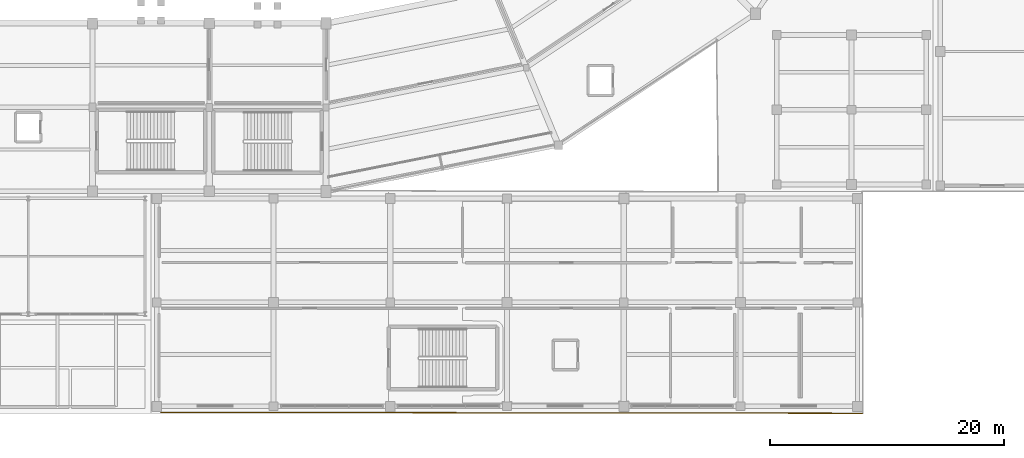
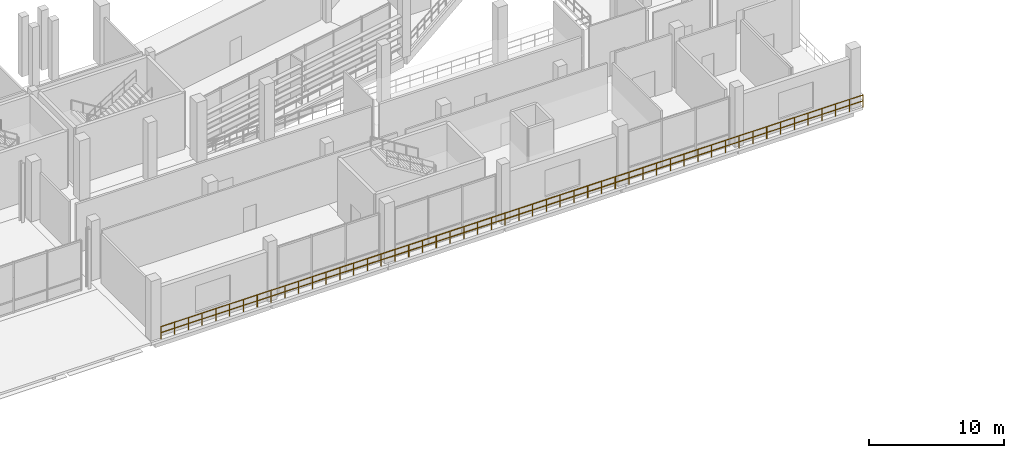
# One storey, part 102 of 114: 1 railing.
"""IFC4 building model written with IfcOpenShell, lengths in metres."""

import ifcopenshell
import ifcopenshell.guid

model = None  # the IFC model being written
_history = None  # IfcOwnerHistory: only IFC2X3 demands one
_inside = {}  # id of a spatial element -> (the spatial element, [elements in it])
_under = {}  # id of a project, library or spatial element -> (it, [spatial elements below it])
_declared = {}  # id of a project -> (the project, [libraries it declares])
_typed = {}  # id of a type object -> (the type object, [elements of that type])
_made_of = {}  # id of a material, layer set ... -> (it, [elements and type objects made of it])


def new_model(schema):
    """Start an empty IFC model of exactly this schema.

    Asked for "IFC4X3", IfcOpenShell would pick the latest addendum, in which some entities
    have other attributes; the version numbers below select the first issue.
    IFC2X3 requires an IfcOwnerHistory on every rooted entity: one is made here for all.
    """
    global model, _history
    if schema == "IFC4X3":
        model = ifcopenshell.file(schema_version=(4, 3, 0, 0))
    else:
        model = ifcopenshell.file(schema=schema)
    _inside.clear()
    _under.clear()
    _declared.clear()
    _typed.clear()
    _made_of.clear()
    _history = None
    if model.schema == "IFC2X3":
        org = make("IfcOrganization", Name="unknown")
        user = make(
            "IfcPersonAndOrganization",
            ThePerson=make("IfcPerson", FamilyName="unknown"),
            TheOrganization=org,
        )
        app = make(
            "IfcApplication",
            ApplicationDeveloper=org,
            Version="unknown",
            ApplicationFullName="unknown",
            ApplicationIdentifier="unknown",
        )
        _history = make(
            "IfcOwnerHistory",
            OwningUser=user,
            OwningApplication=app,
            ChangeAction="ADDED",
            CreationDate=0,
        )
    return model


def make(cls, **values):
    """One entity of the class cls with the attributes given. An attribute that is None is left unset."""
    return model.create_entity(
        cls, **{name: value for name, value in values.items() if value is not None}
    )


def rooted(cls, **values):
    """An entity with a GlobalId (a new one), such as an element, a storey or a relation."""
    return make(cls, GlobalId=ifcopenshell.guid.new(), OwnerHistory=_history, **values)


def si_unit(unit_type, name, prefix=None):
    """IfcSIUnit, for example si_unit("LENGTHUNIT", "METRE", prefix="MILLI")."""
    return make("IfcSIUnit", UnitType=unit_type, Prefix=prefix, Name=name)


def assignment(units):
    """IfcUnitAssignment: the units of a project."""
    return None if units is None else make("IfcUnitAssignment", Units=units)


def point(xyz):
    """IfcCartesianPoint."""
    return None if xyz is None else make("IfcCartesianPoint", Coordinates=xyz)


def direction(xyz):
    """IfcDirection."""
    return None if xyz is None else make("IfcDirection", DirectionRatios=xyz)


def frame(location, z_axis=None, x_axis=None):
    """IfcAxis2Placement3D, a coordinate frame: its origin and axes. An axis left out is left unset."""
    return make(
        "IfcAxis2Placement3D",
        Location=point(location),
        Axis=direction(z_axis),
        RefDirection=direction(x_axis),
    )


def frame_2d(location, x_axis=None):
    """IfcAxis2Placement2D, a coordinate frame in the plane: its origin and x axis."""
    return make(
        "IfcAxis2Placement2D", Location=point(location), RefDirection=direction(x_axis)
    )


def origin():
    """The frame at (0, 0, 0) with its axes left unset."""
    return frame((0.0, 0.0, 0.0))


def origin_2d():
    """The frame at (0, 0) in the plane with its x axis left unset."""
    return frame_2d((0.0, 0.0))


def place(relative_to, where):
    """IfcLocalPlacement: puts the frame where relative to a parent placement (None: the world)."""
    return make(
        "IfcLocalPlacement", PlacementRelTo=relative_to, RelativePlacement=where
    )


def context(
    kind, dimensions, precision=None, world=None, true_north=None, identifier=None
):
    """IfcGeometricRepresentationContext, for example the 3D "Model" context."""
    return make(
        "IfcGeometricRepresentationContext",
        ContextIdentifier=identifier,
        ContextType=kind,
        CoordinateSpaceDimension=dimensions,
        Precision=precision,
        WorldCoordinateSystem=world,
        TrueNorth=true_north,
    )


def subcontext(parent, identifier, kind, view, scale=None):
    """IfcGeometricRepresentationSubContext, for example "Body" below "Model"."""
    return make(
        "IfcGeometricRepresentationSubContext",
        ContextIdentifier=identifier,
        ContextType=kind,
        ParentContext=parent,
        TargetScale=scale,
        TargetView=view,
    )


def project(units=None, contexts=None):
    """IfcProject with its units and contexts."""
    return rooted(
        "IfcProject",
        Name="project",
        RepresentationContexts=contexts,
        UnitsInContext=assignment(units),
    )


def spatial(cls, under=None, at=None, **own):
    """A site, building, storey or space (cls), placed at a placement, below another one or the project."""
    s = rooted(cls, ObjectPlacement=at, **own)
    if under is not None:
        _under.setdefault(under.id(), (under, []))[1].append(s)
    return s


def profile(cls, at=None, kind="AREA", **sizes):
    """A parametric profile (cls). Its sizes go by their IFC names, for example OverallWidth=200.0."""
    return make(cls, ProfileType=kind, Position=at, **sizes)


def circle(**sizes):
    """IfcCircleProfileDef."""
    return profile("IfcCircleProfileDef", **sizes)


def extrude(swept, where, along, depth):
    """IfcExtrudedAreaSolid: the profile swept, set in the frame where, extruded along a direction by depth."""
    return make(
        "IfcExtrudedAreaSolid",
        SweptArea=swept,
        Position=where,
        ExtrudedDirection=direction(along),
        Depth=depth,
    )


def shape(context_of_items, identifier, shape_type, items):
    """IfcShapeRepresentation: the items that make up one representation, for example the "Body"."""
    return make(
        "IfcShapeRepresentation",
        ContextOfItems=context_of_items,
        RepresentationIdentifier=identifier,
        RepresentationType=shape_type,
        Items=items,
    )


def material(Name=None, Category=None):
    """IfcMaterial."""
    return make("IfcMaterial", Name=Name, Category=Category)


def layer(
    of_material, thickness, ventilated=None, Name=None, Category=None, Priority=None
):
    """IfcMaterialLayer: one layer of a wall or slab, of a material (None: an air gap)."""
    return make(
        "IfcMaterialLayer",
        Material=of_material,
        LayerThickness=thickness,
        IsVentilated=ventilated,
        Name=Name,
        Category=Category,
        Priority=Priority,
    )


def layer_set(layers, Name=None):
    """IfcMaterialLayerSet."""
    return make("IfcMaterialLayerSet", MaterialLayers=layers, LayerSetName=Name)


def made_of(thing, what):
    """Note that an element or type object is made of a material, layer set ...; save() writes the relation."""
    if what is not None:
        _made_of.setdefault(what.id(), (what, []))[1].append(thing)
    return thing


def type_object(cls, material=None, **own):
    """A type object (cls), such as IfcWallType, which elements share."""
    return made_of(rooted(cls, **own), material)


def element(
    cls,
    number,
    at=None,
    inside=None,
    cuts=None,
    type_object=None,
    material=None,
    context=None,
    identifier="Body",
    shape_type=None,
    held_by="IfcProductDefinitionShape",
    body=None,
    shapes=None,
    **own,
):
    """One element of the class cls, such as IfcWall. Its Tag is "e" and its number.

    at: its placement. inside: the storey or other place that contains it. cuts: it is an
    opening in that element (IfcRelVoidsElement). A single representation is given by context,
    identifier, shape_type and body (its items); several are given by shapes. held_by: the class
    of the entity that holds the representations. save() writes the other relations.
    """
    e = rooted(cls, Tag="e%d" % number, ObjectPlacement=at, **own)
    if body is not None:
        shapes = [shape(context, identifier, shape_type, body)]
    if shapes is not None:
        e.Representation = make(held_by, Representations=shapes)
    if inside is not None:
        _inside.setdefault(inside.id(), (inside, []))[1].append(e)
    if cuts is not None:
        rooted(
            "IfcRelVoidsElement", RelatingBuildingElement=cuts, RelatedOpeningElement=e
        )
    if type_object is not None:
        _typed.setdefault(type_object.id(), (type_object, []))[1].append(e)
    return made_of(e, material)


def aggregate(whole, parts):
    """IfcRelAggregates: a whole, such as a stair, and the parts it consists of."""
    return rooted("IfcRelAggregates", RelatingObject=whole, RelatedObjects=parts)


def save(model, path):
    """Write the relations noted so far, then the file.

    IfcRelAggregates (storeys below a building ...), IfcRelContainedInSpatialStructure (elements
    in a storey), IfcRelDefinesByType, IfcRelAssociatesMaterial and IfcRelDeclares: one each for
    every whole, place, type object, material and project.
    """
    for whole, parts in _under.values():
        aggregate(whole, parts)
    for where, things in _inside.values():
        rooted(
            "IfcRelContainedInSpatialStructure",
            RelatedElements=things,
            RelatingStructure=where,
        )
    for kind, things in _typed.values():
        rooted("IfcRelDefinesByType", RelatedObjects=things, RelatingType=kind)
    for what, things in _made_of.values():
        rooted("IfcRelAssociatesMaterial", RelatedObjects=things, RelatingMaterial=what)
    for by, libraries in _declared.values():
        rooted("IfcRelDeclares", RelatingContext=by, RelatedDefinitions=libraries)
    model.write(path)


model = new_model("IFC4")

# Units and contexts
model_context = context("Model", 3, precision=1e-05, world=origin(), true_north=direction((0.0, 1.0)))
body_context = subcontext(model_context, "Body", "Model", "MODEL_VIEW")
ifc_project = project(units=[si_unit("LENGTHUNIT", "METRE"), si_unit("AREAUNIT", "SQUARE_METRE"), si_unit("VOLUMEUNIT", "CUBIC_METRE"), si_unit("PLANEANGLEUNIT", "RADIAN"), si_unit("MASSUNIT", "GRAM", prefix="KILO")], contexts=[model_context])

# Site, building, storey
site_placement = place(None, origin())
site = spatial("IfcSite", under=ifc_project, at=site_placement, CompositionType="ELEMENT")
building_placement = place(site_placement, origin())
building = spatial("IfcBuilding", under=site, at=building_placement, Name="Candeia Ridge Stadium", CompositionType="ELEMENT")
storey_placement = place(building_placement, frame((0.0, 0.0, 5.39990234375)))
storey = spatial("IfcBuildingStorey", under=building, at=storey_placement, Name="L01", CompositionType="ELEMENT", Elevation=5.39990234375)

# Railing
ifc_material = material(Name="Galvanized Powder-Coated Steel", Category="steel")
ifc_layer = layer(ifc_material, 0.074951171875, Name="Galvanized Powder-Coated Steel", Category="steel")
ifc_layer_set = layer_set([ifc_layer], Name="Galvanized Powder-Coated Steel")
railing_type = type_object("IfcRailingType", Name="Spectator Bowl Front Guardrail 1120", PredefinedType="GUARDRAIL", material=ifc_layer_set)
railing_placement = place(storey_placement, frame((187.0, 0.0, 0.0)))
element("IfcRailing", 1, at=railing_placement, inside=storey, type_object=railing_type, Name="Deck edge safety guardrail GR-DE-L01-0014", PredefinedType="GUARDRAIL", context=body_context, shape_type="SweptSolid", body=[
    extrude(circle(Radius=0.02392578125, at=origin_2d()), frame((0.0, 0.0, 1.09619140625), z_axis=(-0.999999113809, 0.00133130813, 0.0), x_axis=(-0.00133130813, -0.999999113809, 0.0)), (0.0, 0.0, 1.0), 60.14990234375),
    extrude(circle(Radius=0.02392578125, at=origin_2d()), frame((0.0, 0.0, 0.56005859375), z_axis=(-0.999999113809, 0.00133130813, 0.0), x_axis=(-0.00133130813, -0.999999113809, 0.0)), (0.0, 0.0, 1.0), 60.14990234375),
    extrude(circle(Radius=0.02099609375, at=origin_2d()), origin(), (0.0, 0.0, 1.0), 1.072021484375),
    extrude(circle(Radius=0.02099609375, at=origin_2d()), frame((-1.179443359375, 0.00146484375, 0.0)), (0.0, 0.0, 1.0), 1.072021484375),
    extrude(circle(Radius=0.02099609375, at=origin_2d()), frame((-2.35888671875, 0.003173828125, 0.0)), (0.0, 0.0, 1.0), 1.072021484375),
    extrude(circle(Radius=0.02099609375, at=origin_2d()), frame((-3.538330078125, 0.004638671875, 0.0)), (0.0, 0.0, 1.0), 1.072021484375),
    extrude(circle(Radius=0.02099609375, at=origin_2d()), frame((-4.717529296875, 0.00634765625, 0.0)), (0.0, 0.0, 1.0), 1.072021484375),
    extrude(circle(Radius=0.02099609375, at=origin_2d()), frame((-5.89697265625, 0.0078125, 0.0)), (0.0, 0.0, 1.0), 1.072021484375),
    extrude(circle(Radius=0.02099609375, at=origin_2d()), frame((-7.076416015625, 0.009521484375, 0.0)), (0.0, 0.0, 1.0), 1.072021484375),
    extrude(circle(Radius=0.02099609375, at=origin_2d()), frame((-8.255859375, 0.010986328125, 0.0)), (0.0, 0.0, 1.0), 1.072021484375),
    extrude(circle(Radius=0.02099609375, at=origin_2d()), frame((-9.435302734375, 0.012451171875, 0.0)), (0.0, 0.0, 1.0), 1.072021484375),
    extrude(circle(Radius=0.02099609375, at=origin_2d()), frame((-10.61474609375, 0.01416015625, 0.0)), (0.0, 0.0, 1.0), 1.072021484375),
    extrude(circle(Radius=0.02099609375, at=origin_2d()), frame((-11.794189453125, 0.015625, 0.0)), (0.0, 0.0, 1.0), 1.072021484375),
    extrude(circle(Radius=0.02099609375, at=origin_2d()), frame((-12.973388671875, 0.017333984375, 0.0)), (0.0, 0.0, 1.0), 1.072021484375),
    extrude(circle(Radius=0.02099609375, at=origin_2d()), frame((-14.15283203125, 0.018798828125, 0.0)), (0.0, 0.0, 1.0), 1.072021484375),
    extrude(circle(Radius=0.02099609375, at=origin_2d()), frame((-15.332275390625, 0.0205078125, 0.0)), (0.0, 0.0, 1.0), 1.072021484375),
    extrude(circle(Radius=0.02099609375, at=origin_2d()), frame((-16.51171875, 0.02197265625, 0.0)), (0.0, 0.0, 1.0), 1.072021484375),
    extrude(circle(Radius=0.02099609375, at=origin_2d()), frame((-17.691162109375, 0.0234375, 0.0)), (0.0, 0.0, 1.0), 1.072021484375),
    extrude(circle(Radius=0.02099609375, at=origin_2d()), frame((-18.87060546875, 0.025146484375, 0.0)), (0.0, 0.0, 1.0), 1.072021484375),
    extrude(circle(Radius=0.02099609375, at=origin_2d()), frame((-20.050048828125, 0.026611328125, 0.0)), (0.0, 0.0, 1.0), 1.072021484375),
    extrude(circle(Radius=0.02099609375, at=origin_2d()), frame((-21.2294921875, 0.0283203125, 0.0)), (0.0, 0.0, 1.0), 1.072021484375),
    extrude(circle(Radius=0.02099609375, at=origin_2d()), frame((-22.40869140625, 0.02978515625, 0.0)), (0.0, 0.0, 1.0), 1.072021484375),
    extrude(circle(Radius=0.02099609375, at=origin_2d()), frame((-23.588134765625, 0.031494140625, 0.0)), (0.0, 0.0, 1.0), 1.072021484375),
    extrude(circle(Radius=0.02099609375, at=origin_2d()), frame((-24.767578125, 0.032958984375, 0.0)), (0.0, 0.0, 1.0), 1.072021484375),
    extrude(circle(Radius=0.02099609375, at=origin_2d()), frame((-25.947021484375, 0.034423828125, 0.0)), (0.0, 0.0, 1.0), 1.072021484375),
    extrude(circle(Radius=0.02099609375, at=origin_2d()), frame((-27.12646484375, 0.0361328125, 0.0)), (0.0, 0.0, 1.0), 1.072021484375),
    extrude(circle(Radius=0.02099609375, at=origin_2d()), frame((-28.305908203125, 0.03759765625, 0.0)), (0.0, 0.0, 1.0), 1.072021484375),
    extrude(circle(Radius=0.02099609375, at=origin_2d()), frame((-29.4853515625, 0.039306640625, 0.0)), (0.0, 0.0, 1.0), 1.072021484375),
    extrude(circle(Radius=0.02099609375, at=origin_2d()), frame((-30.66455078125, 0.040771484375, 0.0)), (0.0, 0.0, 1.0), 1.072021484375),
    extrude(circle(Radius=0.02099609375, at=origin_2d()), frame((-31.843994140625, 0.04248046875, 0.0)), (0.0, 0.0, 1.0), 1.072021484375),
    extrude(circle(Radius=0.02099609375, at=origin_2d()), frame((-33.0234375, 0.0439453125, 0.0)), (0.0, 0.0, 1.0), 1.072021484375),
    extrude(circle(Radius=0.02099609375, at=origin_2d()), frame((-34.202880859375, 0.045654296875, 0.0)), (0.0, 0.0, 1.0), 1.072021484375),
    extrude(circle(Radius=0.02099609375, at=origin_2d()), frame((-35.38232421875, 0.047119140625, 0.0)), (0.0, 0.0, 1.0), 1.072021484375),
    extrude(circle(Radius=0.02099609375, at=origin_2d()), frame((-36.561767578125, 0.048583984375, 0.0)), (0.0, 0.0, 1.0), 1.072021484375),
    extrude(circle(Radius=0.02099609375, at=origin_2d()), frame((-37.7412109375, 0.05029296875, 0.0)), (0.0, 0.0, 1.0), 1.072021484375),
    extrude(circle(Radius=0.02099609375, at=origin_2d()), frame((-38.92041015625, 0.0517578125, 0.0)), (0.0, 0.0, 1.0), 1.072021484375),
    extrude(circle(Radius=0.02099609375, at=origin_2d()), frame((-40.099853515625, 0.053466796875, 0.0)), (0.0, 0.0, 1.0), 1.072021484375),
    extrude(circle(Radius=0.02099609375, at=origin_2d()), frame((-41.279296875, 0.054931640625, 0.0)), (0.0, 0.0, 1.0), 1.072021484375),
    extrude(circle(Radius=0.02099609375, at=origin_2d()), frame((-42.458740234375, 0.056640625, 0.0)), (0.0, 0.0, 1.0), 1.072021484375),
    extrude(circle(Radius=0.02099609375, at=origin_2d()), frame((-43.63818359375, 0.05810546875, 0.0)), (0.0, 0.0, 1.0), 1.072021484375),
    extrude(circle(Radius=0.02099609375, at=origin_2d()), frame((-44.817626953125, 0.0595703125, 0.0)), (0.0, 0.0, 1.0), 1.072021484375),
    extrude(circle(Radius=0.02099609375, at=origin_2d()), frame((-45.9970703125, 0.061279296875, 0.0)), (0.0, 0.0, 1.0), 1.072021484375),
    extrude(circle(Radius=0.02099609375, at=origin_2d()), frame((-47.176513671875, 0.062744140625, 0.0)), (0.0, 0.0, 1.0), 1.072021484375),
    extrude(circle(Radius=0.02099609375, at=origin_2d()), frame((-48.355712890625, 0.064453125, 0.0)), (0.0, 0.0, 1.0), 1.072021484375),
    extrude(circle(Radius=0.02099609375, at=origin_2d()), frame((-49.53515625, 0.06591796875, 0.0)), (0.0, 0.0, 1.0), 1.072021484375),
    extrude(circle(Radius=0.02099609375, at=origin_2d()), frame((-50.714599609375, 0.067626953125, 0.0)), (0.0, 0.0, 1.0), 1.072021484375),
    extrude(circle(Radius=0.02099609375, at=origin_2d()), frame((-51.89404296875, 0.069091796875, 0.0)), (0.0, 0.0, 1.0), 1.072021484375),
    extrude(circle(Radius=0.02099609375, at=origin_2d()), frame((-53.073486328125, 0.070556640625, 0.0)), (0.0, 0.0, 1.0), 1.072021484375),
    extrude(circle(Radius=0.02099609375, at=origin_2d()), frame((-54.2529296875, 0.072265625, 0.0)), (0.0, 0.0, 1.0), 1.072021484375),
    extrude(circle(Radius=0.02099609375, at=origin_2d()), frame((-55.432373046875, 0.07373046875, 0.0)), (0.0, 0.0, 1.0), 1.072021484375),
    extrude(circle(Radius=0.02099609375, at=origin_2d()), frame((-56.611572265625, 0.075439453125, 0.0)), (0.0, 0.0, 1.0), 1.072021484375),
    extrude(circle(Radius=0.02099609375, at=origin_2d()), frame((-57.791015625, 0.076904296875, 0.0)), (0.0, 0.0, 1.0), 1.072021484375),
    extrude(circle(Radius=0.02099609375, at=origin_2d()), frame((-58.970458984375, 0.07861328125, 0.0)), (0.0, 0.0, 1.0), 1.072021484375),
    extrude(circle(Radius=0.02099609375, at=origin_2d()), frame((-60.14990234375, 0.080078125, 0.0)), (0.0, 0.0, 1.0), 1.072021484375),
])

save(model, "model.ifc")
